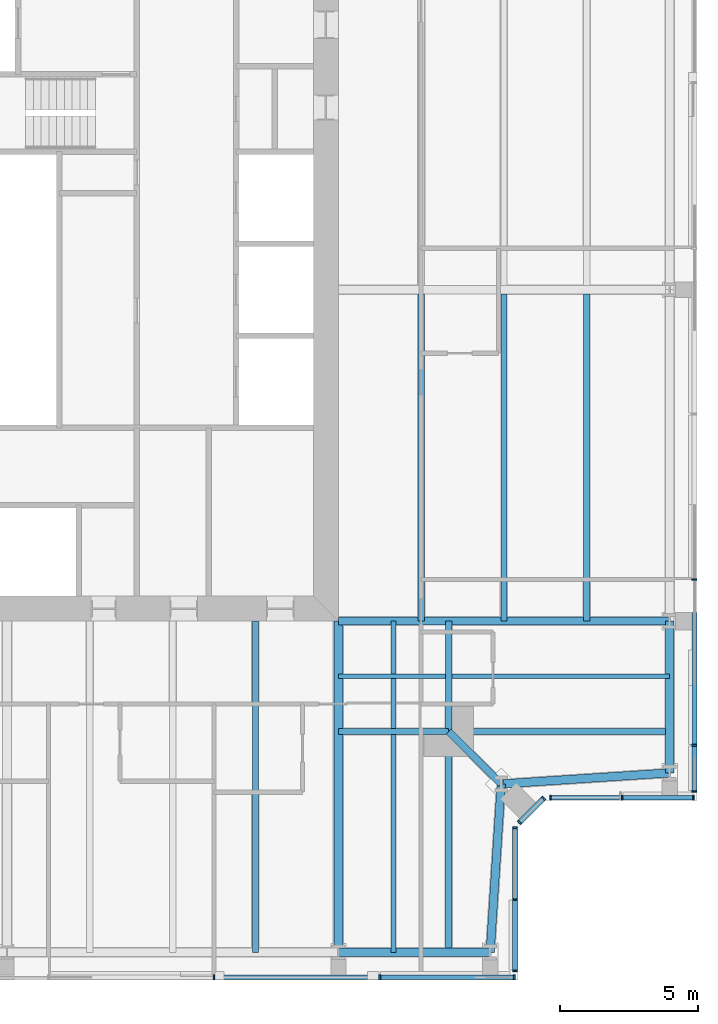
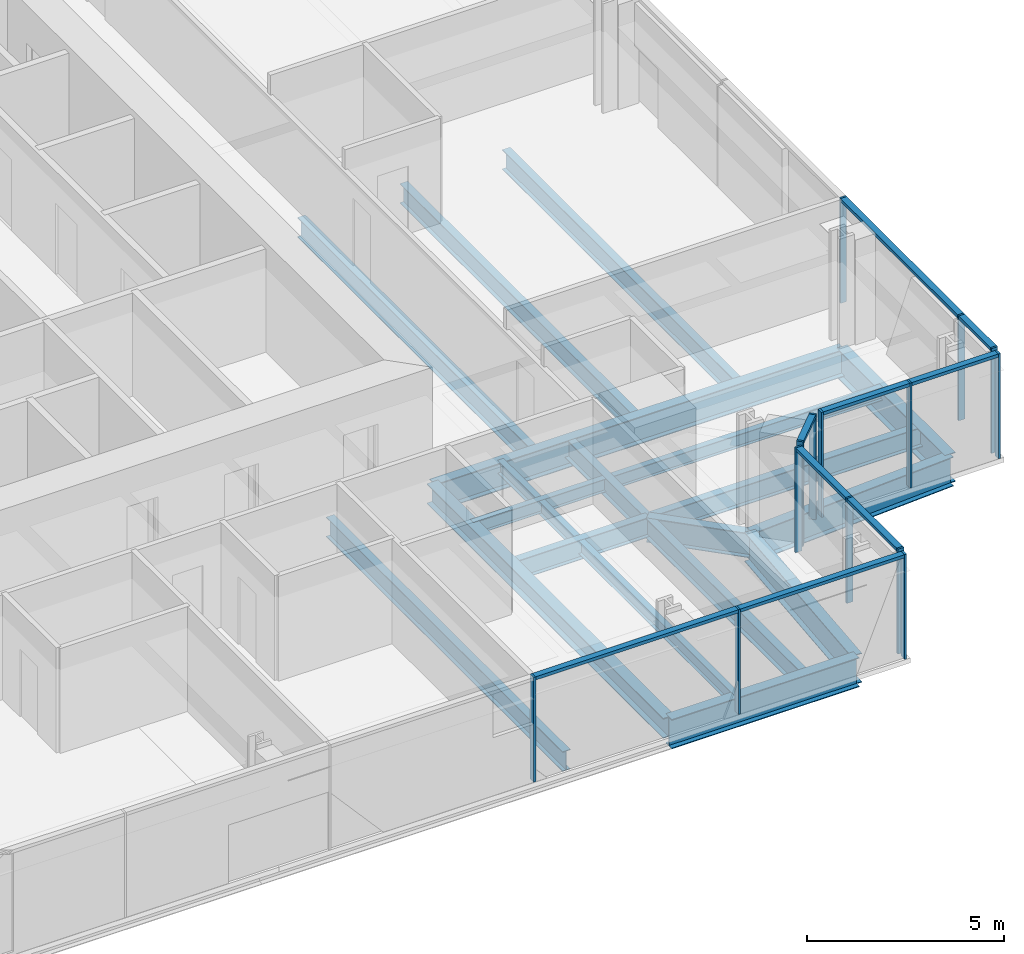
# One storey, part 5 of 20: 23 members, 20 beams, 5 elements without a shape of their own.
"""IFC4 building model written with IfcOpenShell, lengths in metres."""

from ifc_helpers import new_model, si_unit, direction, frame, origin, origin_2d, place, context, subcontext, project, spatial, rectangle, i_section, extrude, material, material_profile, profile_set, type_object, element, aggregate, save


model = new_model("IFC4")

# Units and contexts
model_context = context("Model", 3, precision=1e-05, world=origin(), true_north=direction((0.0, 1.0)))
body_context = subcontext(model_context, "Body", "Model", "MODEL_VIEW")
ifc_project = project(units=[si_unit("LENGTHUNIT", "METRE"), si_unit("AREAUNIT", "SQUARE_METRE"), si_unit("VOLUMEUNIT", "CUBIC_METRE"), si_unit("PLANEANGLEUNIT", "RADIAN"), si_unit("MASSUNIT", "GRAM", prefix="KILO")], contexts=[model_context])

# Site, building, storey
site_placement = place(None, origin())
site = spatial("IfcSite", under=ifc_project, at=site_placement, CompositionType="ELEMENT")
building_placement = place(site_placement, origin())
building = spatial("IfcBuilding", under=site, at=building_placement, Name="Fenwick Lantern Interchange", CompositionType="ELEMENT")
storey_placement = place(building_placement, frame((0.0, 0.0, 276.39990234375)))
storey = spatial("IfcBuildingStorey", under=building, at=storey_placement, Name="L66", CompositionType="ELEMENT", Elevation=276.39990234375)

# Beams
ifc_material_1 = material(Name="Steel ASTM A992 Grade 50", Category="steel")
ifc_material_profile_1 = material_profile(ifc_material_1, i_section(OverallWidth=0.3046875, OverallDepth=0.911865234375, WebThickness=0.015869140625, FlangeThickness=0.02392578125, at=origin_2d()), Name="W36X150")
ifc_profile_set_1 = profile_set([ifc_material_profile_1], Name="Steel ASTM A992 Grade 50")
beam_type_1 = type_object("IfcBeamType", Name="EDGE BEAM W36X150", PredefinedType="SPANDREL", material=ifc_profile_set_1)
beam_1_placement = place(storey_placement, frame((37.0, 1.0, -0.605712890625), z_axis=(1.0, 0.0, 0.0), x_axis=(0.0, 1.0, 0.0)))
element("IfcBeam", 1, at=beam_1_placement, inside=storey, type_object=beam_type_1, Name="L66/FR/S/EB4", PredefinedType="SPANDREL", context=body_context, shape_type="SweptSolid", body=[
    extrude(i_section(OverallWidth=0.3046875, OverallDepth=0.911865234375, WebThickness=0.015869140625, FlangeThickness=0.02392578125, at=origin_2d()), origin(), (0.0, 0.0, 1.0), 5.5),
])
for number, where, z_axis, x_axis, name in (
    (2, (42.5, 1.0, -0.605712890625), (0.065416293237, 0.997858060337, 0.0), (-0.997858060337, 0.065416293237, 0.0), "L66/FR/S/EBR1"),
    (3, (42.89990234375, 7.10009765625, -0.605712890625), (0.997858060337, 0.065416293237, 0.0), (-0.065416293237, 0.997858060337, 0.0), "L66/FR/S/EBR2"),
):
    element("IfcBeam", number, at=place(storey_placement, frame(where, z_axis=z_axis, x_axis=x_axis)), inside=storey, type_object=beam_type_1, Name=name, PredefinedType="SPANDREL", context=body_context, shape_type="SweptSolid", body=[
        extrude(i_section(OverallWidth=0.3046875, OverallDepth=0.911865234375, WebThickness=0.015869140625, FlangeThickness=0.02392578125, at=origin_2d()), origin(), (0.0, 0.0, 1.0), 6.11328125),
    ])
beam_2_placement = place(storey_placement, frame((49.0, 7.5, -0.605712890625), z_axis=(0.0, 1.0, 0.0), x_axis=(-1.0, 0.0, 0.0)))
element("IfcBeam", 4, at=beam_2_placement, inside=storey, type_object=beam_type_1, Name="L66/FR/E/EB1", PredefinedType="SPANDREL", context=body_context, shape_type="SweptSolid", body=[
    extrude(i_section(OverallWidth=0.3046875, OverallDepth=0.911865234375, WebThickness=0.015869140625, FlangeThickness=0.02392578125, at=origin_2d()), origin(), (0.0, 0.0, 1.0), 5.5),
])
ifc_material_profile_2 = material_profile(ifc_material_1, i_section(OverallWidth=0.22900390625, OverallDepth=0.612060546875, WebThickness=0.011962890625, FlangeThickness=0.01953125, at=origin_2d()), Name="W24X84")
ifc_profile_set_2 = profile_set([ifc_material_profile_2], Name="Steel ASTM A992 Grade 50")
beam_type_2 = type_object("IfcBeamType", Name="FLOOR BEAM W24X84", PredefinedType="BEAM", material=ifc_profile_set_2)
beam_3_placement = place(storey_placement, frame((34.0, 1.0, -0.4560546875), z_axis=(0.0, 1.0, 0.0), x_axis=(-1.0, 0.0, 0.0)))
element("IfcBeam", 5, at=beam_3_placement, inside=storey, type_object=beam_type_2, Name="L66/FR/S/R08", PredefinedType="BEAM", context=body_context, shape_type="SweptSolid", body=[
    extrude(i_section(OverallWidth=0.22900390625, OverallDepth=0.612060546875, WebThickness=0.011962890625, FlangeThickness=0.01953125, at=origin_2d()), origin(), (0.0, 0.0, 1.0), 12.0),
])
for number, where, z_axis, x_axis, name in (
    (6, (46.0, 13.0, -0.4560546875), (0.0, 1.0, 0.0), (-1.0, 0.0, 0.0), "L66/FR/E/B01"),
    (7, (43.0, 13.0, -0.4560546875), (0.0, 1.0, 0.0), (-1.0, 0.0, 0.0), "L66/FR/E/B02"),
    (8, (40.0, 13.0, -0.4560546875), (0.0, 1.0, 0.0), (-1.0, 0.0, 0.0), "L66/FR/E/B03"),
):
    element("IfcBeam", number, at=place(storey_placement, frame(where, z_axis=z_axis, x_axis=x_axis)), inside=storey, type_object=beam_type_2, Name=name, PredefinedType="BEAM", context=body_context, shape_type="SweptSolid", body=[
        extrude(i_section(OverallWidth=0.22900390625, OverallDepth=0.612060546875, WebThickness=0.011962890625, FlangeThickness=0.01953125, at=origin_2d()), origin(), (0.0, 0.0, 1.0), 11.844970703125),
    ])

# Curtain wall, members
ifc_material_2 = material(Name="Aluminium curtain wall frame", Category="aluminium")
curtain_wall_type = type_object("IfcCurtainWallType", Name="HOTEL CURTAIN WALL", PredefinedType="USERDEFINED", material=ifc_material_2)
curtain_wall_1_placement = place(storey_placement, origin())
curtain_wall_1 = element("IfcCurtainWall", 9, at=curtain_wall_1_placement, inside=storey, type_object=curtain_wall_type, Name="Hotel curtain wall 01", ObjectType="HOTEL CURTAIN WALL", PredefinedType="USERDEFINED")
ifc_material_3 = material(Name="Aluminium extrusion", Category="aluminium")
ifc_material_profile_3 = material_profile(ifc_material_3, rectangle(XDim=0.179931640625, YDim=0.06005859375, at=origin_2d()), Name="HOTEL CURTAIN WALL MULLION 60 X 180")
ifc_profile_set_3 = profile_set([ifc_material_profile_3], Name="Aluminium extrusion")
member_type_1 = type_object("IfcMemberType", Name="HOTEL CURTAIN WALL MULLION 60 X 180", PredefinedType="MULLION", material=ifc_profile_set_3)
member_1_placement = place(storey_placement, frame((32.5, 0.10009765625, 0.0), z_axis=(0.0, 0.0, 1.0), x_axis=(0.0, 1.0, 0.0)))
member_1 = element("IfcMember", 10, at=member_1_placement, type_object=member_type_1, Name="L66/CW/01/M05", PredefinedType="MULLION", context=body_context, shape_type="SweptSolid", body=[
    extrude(rectangle(XDim=0.179931640625, YDim=0.06005859375, at=origin_2d()), origin(), (0.0, 0.0, 1.0), 3.25),
])
member_2_placement = place(storey_placement, frame((38.5, 0.10009765625, 0.0), z_axis=(0.0, 0.0, 1.0), x_axis=(0.0, 1.0, 0.0)))
member_2 = element("IfcMember", 11, at=member_2_placement, type_object=member_type_1, Name="L66/CW/01/M06", PredefinedType="MULLION", context=body_context, shape_type="SweptSolid", body=[
    extrude(rectangle(XDim=0.179931640625, YDim=0.06005859375, at=origin_2d()), origin(), (0.0, 0.0, 1.0), 3.25),
])
member_3_placement = place(storey_placement, frame((43.3701171875, 0.10009765625, 0.0), z_axis=(0.0, 0.0, 1.0), x_axis=(0.0, 1.0, 0.0)))
member_3 = element("IfcMember", 12, at=member_3_placement, type_object=member_type_1, Name="L66/CW/01/M07", PredefinedType="MULLION", context=body_context, shape_type="SweptSolid", body=[
    extrude(rectangle(XDim=0.179931640625, YDim=0.06005859375, at=origin_2d()), origin(), (0.0, 0.0, 1.0), 3.25),
])

curtain_wall_2_placement = place(storey_placement, origin())
curtain_wall_2 = element("IfcCurtainWall", 13, at=curtain_wall_2_placement, inside=storey, type_object=curtain_wall_type, Name="Hotel curtain wall 02", ObjectType="HOTEL CURTAIN WALL", PredefinedType="USERDEFINED")
member_4_placement = place(storey_placement, frame((43.39990234375, 0.330078125, 0.0), z_axis=(0.0, 0.0, 1.0), x_axis=(-1.0, 0.0, 0.0)))
member_4 = element("IfcMember", 14, at=member_4_placement, type_object=member_type_1, Name="L66/CW/02/M00", PredefinedType="MULLION", context=body_context, shape_type="SweptSolid", body=[
    extrude(rectangle(XDim=0.179931640625, YDim=0.06005859375, at=origin_2d()), origin(), (0.0, 0.0, 1.0), 3.25),
])
member_5_placement = place(storey_placement, frame((43.39990234375, 2.920654296875, 0.0), z_axis=(0.0, 0.0, 1.0), x_axis=(-1.0, 0.0, 0.0)))
member_5 = element("IfcMember", 15, at=member_5_placement, type_object=member_type_1, Name="L66/CW/02/M01", PredefinedType="MULLION", context=body_context, shape_type="SweptSolid", body=[
    extrude(rectangle(XDim=0.179931640625, YDim=0.06005859375, at=origin_2d()), origin(), (0.0, 0.0, 1.0), 3.25),
])
member_6_placement = place(storey_placement, frame((43.39990234375, 5.511474609375, 0.0), z_axis=(0.0, 0.0, 1.0), x_axis=(-1.0, 0.0, 0.0)))
member_6 = element("IfcMember", 16, at=member_6_placement, type_object=member_type_1, Name="L66/CW/02/M02", PredefinedType="MULLION", context=body_context, shape_type="SweptSolid", body=[
    extrude(rectangle(XDim=0.179931640625, YDim=0.06005859375, at=origin_2d()), origin(), (0.0, 0.0, 1.0), 3.25),
])

curtain_wall_3_placement = place(storey_placement, origin())
curtain_wall_3 = element("IfcCurtainWall", 17, at=curtain_wall_3_placement, inside=storey, type_object=curtain_wall_type, Name="Hotel curtain wall 03", ObjectType="HOTEL CURTAIN WALL", PredefinedType="USERDEFINED")
member_7_placement = place(storey_placement, frame((43.562744140625, 5.7041015625, 0.0), z_axis=(0.0, 0.0, 1.0), x_axis=(-0.707106781187, 0.707106781187, 0.0)))
member_7 = element("IfcMember", 18, at=member_7_placement, type_object=member_type_1, Name="L66/CW/03/M00", PredefinedType="MULLION", context=body_context, shape_type="SweptSolid", body=[
    extrude(rectangle(XDim=0.179931640625, YDim=0.06005859375, at=origin_2d()), origin(), (0.0, 0.0, 1.0), 3.25),
])
member_8_placement = place(storey_placement, frame((44.437255859375, 6.578857421875, 0.0), z_axis=(0.0, 0.0, 1.0), x_axis=(-0.707106781187, 0.707106781187, 0.0)))
member_8 = element("IfcMember", 19, at=member_8_placement, type_object=member_type_1, Name="L66/CW/03/M01", PredefinedType="MULLION", context=body_context, shape_type="SweptSolid", body=[
    extrude(rectangle(XDim=0.179931640625, YDim=0.06005859375, at=origin_2d()), origin(), (0.0, 0.0, 1.0), 3.25),
])

curtain_wall_4_placement = place(storey_placement, origin())
curtain_wall_4 = element("IfcCurtainWall", 20, at=curtain_wall_4_placement, inside=storey, type_object=curtain_wall_type, Name="Hotel curtain wall 04", ObjectType="HOTEL CURTAIN WALL", PredefinedType="USERDEFINED")
member_9_placement = place(storey_placement, frame((44.6884765625, 6.60009765625, 0.0), z_axis=(0.0, 0.0, 1.0), x_axis=(0.0, 1.0, 0.0)))
member_9 = element("IfcMember", 21, at=member_9_placement, type_object=member_type_1, Name="L66/CW/04/M00", PredefinedType="MULLION", context=body_context, shape_type="SweptSolid", body=[
    extrude(rectangle(XDim=0.179931640625, YDim=0.06005859375, at=origin_2d()), origin(), (0.0, 0.0, 1.0), 3.25),
])
member_10_placement = place(storey_placement, frame((47.279296875, 6.60009765625, 0.0), z_axis=(0.0, 0.0, 1.0), x_axis=(0.0, 1.0, 0.0)))
member_10 = element("IfcMember", 22, at=member_10_placement, type_object=member_type_1, Name="L66/CW/04/M01", PredefinedType="MULLION", context=body_context, shape_type="SweptSolid", body=[
    extrude(rectangle(XDim=0.179931640625, YDim=0.06005859375, at=origin_2d()), origin(), (0.0, 0.0, 1.0), 3.25),
])
member_11_placement = place(storey_placement, frame((49.8701171875, 6.60009765625, 0.0), z_axis=(0.0, 0.0, 1.0), x_axis=(0.0, 1.0, 0.0)))
member_11 = element("IfcMember", 23, at=member_11_placement, type_object=member_type_1, Name="L66/CW/04/M02", PredefinedType="MULLION", context=body_context, shape_type="SweptSolid", body=[
    extrude(rectangle(XDim=0.179931640625, YDim=0.06005859375, at=origin_2d()), origin(), (0.0, 0.0, 1.0), 3.25),
])

curtain_wall_5_placement = place(storey_placement, origin())
curtain_wall_5 = element("IfcCurtainWall", 24, at=curtain_wall_5_placement, inside=storey, type_object=curtain_wall_type, Name="Hotel curtain wall 05", ObjectType="HOTEL CURTAIN WALL", PredefinedType="USERDEFINED")
member_12_placement = place(storey_placement, frame((49.89990234375, 6.830078125, 0.0), z_axis=(0.0, 0.0, 1.0), x_axis=(-1.0, 0.0, 0.0)))
member_12 = element("IfcMember", 25, at=member_12_placement, type_object=member_type_1, Name="L66/CW/05/M00", PredefinedType="MULLION", context=body_context, shape_type="SweptSolid", body=[
    extrude(rectangle(XDim=0.179931640625, YDim=0.06005859375, at=origin_2d()), origin(), (0.0, 0.0, 1.0), 3.25),
])
member_13_placement = place(storey_placement, frame((49.89990234375, 8.5, 0.0), z_axis=(0.0, 0.0, 1.0), x_axis=(-1.0, 0.0, 0.0)))
member_13 = element("IfcMember", 26, at=member_13_placement, type_object=member_type_1, Name="L66/CW/05/M01", PredefinedType="MULLION", context=body_context, shape_type="SweptSolid", body=[
    extrude(rectangle(XDim=0.179931640625, YDim=0.06005859375, at=origin_2d()), origin(), (0.0, 0.0, 1.0), 3.25),
])
member_14_placement = place(storey_placement, frame((49.89990234375, 14.5, 0.0), z_axis=(0.0, 0.0, 1.0), x_axis=(-1.0, 0.0, 0.0)))
member_14 = element("IfcMember", 27, at=member_14_placement, type_object=member_type_1, Name="L66/CW/05/M02", PredefinedType="MULLION", context=body_context, shape_type="SweptSolid", body=[
    extrude(rectangle(XDim=0.179931640625, YDim=0.06005859375, at=origin_2d()), origin(), (0.0, 0.0, 1.0), 3.25),
])

# Member
ifc_material_profile_4 = material_profile(ifc_material_3, rectangle(XDim=0.179931640625, YDim=0.10009765625, at=origin_2d()), Name="HOTEL CURTAIN WALL TRANSOM 100 X 180")
ifc_profile_set_4 = profile_set([ifc_material_profile_4], Name="Aluminium extrusion")
member_type_2 = type_object("IfcMemberType", Name="HOTEL CURTAIN WALL TRANSOM 100 X 180", PredefinedType="MULLION", material=ifc_profile_set_4)
member_15_placement = place(storey_placement, frame((32.530029296875, 0.10009765625, 3.2001953125), z_axis=(1.0, 0.0, 0.0), x_axis=(0.0, 1.0, 0.0)))
member_15 = element("IfcMember", 28, at=member_15_placement, type_object=member_type_2, Name="L66/CW/01/T05", PredefinedType="MULLION", context=body_context, shape_type="SweptSolid", body=[
    extrude(rectangle(XDim=0.179931640625, YDim=0.10009765625, at=origin_2d()), origin(), (0.0, 0.0, 1.0), 5.93994140625),
])

member_16_placement = place(storey_placement, frame((38.530029296875, 0.10009765625, 3.2001953125), z_axis=(1.0, 0.0, 0.0), x_axis=(0.0, 1.0, 0.0)))
member_16 = element("IfcMember", 29, at=member_16_placement, type_object=member_type_2, Name="L66/CW/01/T06", PredefinedType="MULLION", context=body_context, shape_type="SweptSolid", body=[
    extrude(rectangle(XDim=0.179931640625, YDim=0.10009765625, at=origin_2d()), origin(), (0.0, 0.0, 1.0), 4.81005859375),
])

aggregate(curtain_wall_1, [member_1, member_2, member_3, member_15, member_16])

member_17_placement = place(storey_placement, frame((43.39990234375, 0.360107421875, 3.2001953125), z_axis=(0.0, 1.0, 0.0), x_axis=(-1.0, 0.0, 0.0)))
member_17 = element("IfcMember", 30, at=member_17_placement, type_object=member_type_2, Name="L66/CW/02/T00", PredefinedType="MULLION", context=body_context, shape_type="SweptSolid", body=[
    extrude(rectangle(XDim=0.179931640625, YDim=0.10009765625, at=origin_2d()), origin(), (0.0, 0.0, 1.0), 2.530517578125),
])

member_18_placement = place(storey_placement, frame((43.39990234375, 2.95068359375, 3.2001953125), z_axis=(0.0, 1.0, 0.0), x_axis=(-1.0, 0.0, 0.0)))
member_18 = element("IfcMember", 31, at=member_18_placement, type_object=member_type_2, Name="L66/CW/02/T01", PredefinedType="MULLION", context=body_context, shape_type="SweptSolid", body=[
    extrude(rectangle(XDim=0.179931640625, YDim=0.10009765625, at=origin_2d()), origin(), (0.0, 0.0, 1.0), 2.53076171875),
])

aggregate(curtain_wall_2, [member_4, member_5, member_6, member_17, member_18])

member_19_placement = place(storey_placement, frame((43.583740234375, 5.725341796875, 3.2001953125), z_axis=(0.707210470133, 0.707003077033, 0.0), x_axis=(-0.707003077033, 0.707210470133, 0.0)))
member_19 = element("IfcMember", 32, at=member_19_placement, type_object=member_type_2, Name="L66/CW/03/T00", PredefinedType="MULLION", context=body_context, shape_type="SweptSolid", body=[
    extrude(rectangle(XDim=0.179931640625, YDim=0.10009765625, at=origin_2d()), origin(), (0.0, 0.0, 1.0), 1.17724609375),
])

aggregate(curtain_wall_3, [member_7, member_8, member_19])

member_20_placement = place(storey_placement, frame((44.718505859375, 6.60009765625, 3.2001953125), z_axis=(1.0, 0.0, 0.0), x_axis=(0.0, 1.0, 0.0)))
member_20 = element("IfcMember", 33, at=member_20_placement, type_object=member_type_2, Name="L66/CW/04/T00", PredefinedType="MULLION", context=body_context, shape_type="SweptSolid", body=[
    extrude(rectangle(XDim=0.179931640625, YDim=0.10009765625, at=origin_2d()), origin(), (0.0, 0.0, 1.0), 2.53076171875),
])

member_21_placement = place(storey_placement, frame((47.309326171875, 6.60009765625, 3.2001953125), z_axis=(1.0, 0.0, 0.0), x_axis=(0.0, 1.0, 0.0)))
member_21 = element("IfcMember", 34, at=member_21_placement, type_object=member_type_2, Name="L66/CW/04/T01", PredefinedType="MULLION", context=body_context, shape_type="SweptSolid", body=[
    extrude(rectangle(XDim=0.179931640625, YDim=0.10009765625, at=origin_2d()), origin(), (0.0, 0.0, 1.0), 2.53076171875),
])

aggregate(curtain_wall_4, [member_9, member_10, member_11, member_20, member_21])

member_22_placement = place(storey_placement, frame((49.89990234375, 6.860107421875, 3.2001953125), z_axis=(0.0, 1.0, 0.0), x_axis=(-1.0, 0.0, 0.0)))
member_22 = element("IfcMember", 35, at=member_22_placement, type_object=member_type_2, Name="L66/CW/05/T00", PredefinedType="MULLION", context=body_context, shape_type="SweptSolid", body=[
    extrude(rectangle(XDim=0.179931640625, YDim=0.10009765625, at=origin_2d()), origin(), (0.0, 0.0, 1.0), 1.60986328125),
])

member_23_placement = place(storey_placement, frame((49.89990234375, 8.530029296875, 3.2001953125), z_axis=(0.0, 1.0, 0.0), x_axis=(-1.0, 0.0, 0.0)))
member_23 = element("IfcMember", 36, at=member_23_placement, type_object=member_type_2, Name="L66/CW/05/T01", PredefinedType="MULLION", context=body_context, shape_type="SweptSolid", body=[
    extrude(rectangle(XDim=0.179931640625, YDim=0.10009765625, at=origin_2d()), origin(), (0.0, 0.0, 1.0), 5.93994140625),
])

aggregate(curtain_wall_5, [member_12, member_13, member_14, member_22, member_23])

# Beams
ifc_material_profile_5 = material_profile(ifc_material_1, i_section(OverallWidth=0.177734375, OverallDepth=0.406494140625, WebThickness=0.0078125, FlangeThickness=0.012939453125, at=origin_2d()), Name="W16X40")
ifc_profile_set_5 = profile_set([ifc_material_profile_5], Name="Steel ASTM A992 Grade 50")
beam_type_3 = type_object("IfcBeamType", Name="INFILL BEAM W16X40", PredefinedType="JOIST", material=ifc_profile_set_5)
beam_4_placement = place(storey_placement, frame((49.0, 11.0, -0.35302734375), z_axis=(-1.0, 0.0, 0.0), x_axis=(0.0, -1.0, 0.0)))
element("IfcBeam", 37, at=beam_4_placement, inside=storey, type_object=beam_type_3, Name="L66/FR/E/J1", PredefinedType="JOIST", context=body_context, shape_type="SweptSolid", body=[
    extrude(i_section(OverallWidth=0.177734375, OverallDepth=0.406494140625, WebThickness=0.0078125, FlangeThickness=0.012939453125, at=origin_2d()), origin(), (0.0, 0.0, 1.0), 7.885498046875),
])
beam_5_placement = place(storey_placement, frame((40.885498046875, 11.0, -0.35302734375), z_axis=(-1.0, 0.0, 0.0), x_axis=(0.0, -1.0, 0.0)))
element("IfcBeam", 38, at=beam_5_placement, inside=storey, type_object=beam_type_3, Name="L66/FR/E/J2", PredefinedType="JOIST", context=body_context, shape_type="SweptSolid", body=[
    extrude(i_section(OverallWidth=0.177734375, OverallDepth=0.406494140625, WebThickness=0.0078125, FlangeThickness=0.012939453125, at=origin_2d()), origin(), (0.0, 0.0, 1.0), 3.885498046875),
])
beam_6_placement = place(storey_placement, frame((39.0, 1.0, -0.35302734375), z_axis=(0.0, 1.0, 0.0), x_axis=(-1.0, 0.0, 0.0)))
element("IfcBeam", 39, at=beam_6_placement, inside=storey, type_object=beam_type_3, Name="L66/FR/E/J3", PredefinedType="JOIST", context=body_context, shape_type="SweptSolid", body=[
    extrude(i_section(OverallWidth=0.177734375, OverallDepth=0.406494140625, WebThickness=0.0078125, FlangeThickness=0.012939453125, at=origin_2d()), origin(), (0.0, 0.0, 1.0), 7.885498046875),
])
beam_7_placement = place(storey_placement, frame((39.0, 9.114501953125, -0.35302734375), z_axis=(0.0, 1.0, 0.0), x_axis=(-1.0, 0.0, 0.0)))
element("IfcBeam", 40, at=beam_7_placement, inside=storey, type_object=beam_type_3, Name="L66/FR/E/J4", PredefinedType="JOIST", context=body_context, shape_type="SweptSolid", body=[
    extrude(i_section(OverallWidth=0.177734375, OverallDepth=0.406494140625, WebThickness=0.0078125, FlangeThickness=0.012939453125, at=origin_2d()), origin(), (0.0, 0.0, 1.0), 1.796630859375),
])
beam_8_placement = place(storey_placement, frame((39.0, 11.0888671875, -0.35302734375), z_axis=(0.0, 1.0, 0.0), x_axis=(-1.0, 0.0, 0.0)))
element("IfcBeam", 41, at=beam_8_placement, inside=storey, type_object=beam_type_3, Name="L66/FR/E/J5", PredefinedType="JOIST", context=body_context, shape_type="SweptSolid", body=[
    extrude(i_section(OverallWidth=0.177734375, OverallDepth=0.406494140625, WebThickness=0.0078125, FlangeThickness=0.012939453125, at=origin_2d()), origin(), (0.0, 0.0, 1.0), 1.9111328125),
])
ifc_material_profile_6 = material_profile(ifc_material_1, i_section(OverallWidth=0.22900390625, OverallDepth=0.612060546875, WebThickness=0.011962890625, FlangeThickness=0.01953125, at=origin_2d()), Name="W24X84")
ifc_profile_set_6 = profile_set([ifc_material_profile_6], Name="Steel ASTM A992 Grade 50")
beam_type_4 = type_object("IfcBeamType", Name="MEGA COLUMN BEAM W24X84", PredefinedType="BEAM", material=ifc_profile_set_6)
for number, where, z_axis, x_axis, name in (
    (42, (41.0, 9.0, -0.4560546875), (1.0, 0.0, 0.0), (0.0, 1.0, 0.0), "L66/FR/E/MB1"),
    (43, (41.0, 9.0, -0.4560546875), (0.0, -1.0, 0.0), (1.0, 0.0, 0.0), "L66/FR/E/MB2"),
):
    element("IfcBeam", number, at=place(storey_placement, frame(where, z_axis=z_axis, x_axis=x_axis)), inside=storey, type_object=beam_type_4, Name=name, PredefinedType="BEAM", context=body_context, shape_type="SweptSolid", body=[
        extrude(i_section(OverallWidth=0.22900390625, OverallDepth=0.612060546875, WebThickness=0.011962890625, FlangeThickness=0.01953125, at=origin_2d()), origin(), (0.0, 0.0, 1.0), 8.0),
    ])
for number, where, z_axis, x_axis, name in (
    (44, (41.0, 9.0, -0.4560546875), (0.0, 1.0, 0.0), (-1.0, 0.0, 0.0), "L66/FR/E/MB3"),
    (45, (41.0, 9.0, -0.4560546875), (-1.0, 0.0, 0.0), (0.0, -1.0, 0.0), "L66/FR/E/MB4"),
):
    element("IfcBeam", number, at=place(storey_placement, frame(where, z_axis=z_axis, x_axis=x_axis)), inside=storey, type_object=beam_type_4, Name=name, PredefinedType="BEAM", context=body_context, shape_type="SweptSolid", body=[
        extrude(i_section(OverallWidth=0.22900390625, OverallDepth=0.612060546875, WebThickness=0.011962890625, FlangeThickness=0.01953125, at=origin_2d()), origin(), (0.0, 0.0, 1.0), 4.0),
    ])
ifc_material_profile_7 = material_profile(ifc_material_1, i_section(OverallWidth=0.32763671875, OverallDepth=0.622314453125, WebThickness=0.015380859375, FlangeThickness=0.0244140625, at=origin_2d()), Name="W24X131")
ifc_profile_set_7 = profile_set([ifc_material_profile_7], Name="Steel ASTM A992 Grade 50")
beam_type_5 = type_object("IfcBeamType", Name="MOMENT-CONNECTED GIRDER W24X131", PredefinedType="BEAM", material=ifc_profile_set_7)
beam_9_placement = place(storey_placement, frame((37.0, 1.0, -0.4609375), z_axis=(0.0, 1.0, 0.0), x_axis=(-1.0, 0.0, 0.0)))
element("IfcBeam", 46, at=beam_9_placement, inside=storey, type_object=beam_type_5, Name="L66/FR/S/R09", PredefinedType="BEAM", context=body_context, shape_type="SweptSolid", body=[
    extrude(i_section(OverallWidth=0.32763671875, OverallDepth=0.622314453125, WebThickness=0.015380859375, FlangeThickness=0.0244140625, at=origin_2d()), origin(), (0.0, 0.0, 1.0), 12.0),
])
ifc_material_profile_8 = material_profile(ifc_material_1, i_section(OverallWidth=0.2919921875, OverallDepth=0.845703125, WebThickness=0.015380859375, FlangeThickness=0.0244140625, at=origin_2d()), Name="W33X141")
ifc_profile_set_8 = profile_set([ifc_material_profile_8], Name="Steel ASTM A992 Grade 50")
beam_type_6 = type_object("IfcBeamType", Name="MOMENT-CONNECTED GIRDER W33X141", PredefinedType="BEAM", material=ifc_profile_set_8)
beam_10_placement = place(storey_placement, frame((49.0, 13.0, -0.57275390625), z_axis=(-1.0, 0.0, 0.0), x_axis=(0.0, -1.0, 0.0)))
element("IfcBeam", 47, at=beam_10_placement, inside=storey, type_object=beam_type_6, Name="L66/FR/E/R01", PredefinedType="BEAM", context=body_context, shape_type="SweptSolid", body=[
    extrude(i_section(OverallWidth=0.2919921875, OverallDepth=0.845703125, WebThickness=0.015380859375, FlangeThickness=0.0244140625, at=origin_2d()), origin(), (0.0, 0.0, 1.0), 12.0),
])
ifc_material_profile_9 = material_profile(ifc_material_1, i_section(OverallWidth=0.2666015625, OverallDepth=0.7568359375, WebThickness=0.013916015625, FlangeThickness=0.019287109375, at=origin_2d()), Name="W30X108")
ifc_profile_set_9 = profile_set([ifc_material_profile_9], Name="Steel ASTM A992 Grade 50")
beam_type_7 = type_object("IfcBeamType", Name="NOTCH BEAM W30X108", PredefinedType="BEAM", material=ifc_profile_set_9)
beam_11_placement = place(storey_placement, frame((41.0, 9.0, -0.5283203125), z_axis=(0.707106781187, -0.707106781187, 0.0), x_axis=(0.707106781187, 0.707106781187, 0.0)))
element("IfcBeam", 48, at=beam_11_placement, inside=storey, type_object=beam_type_7, Name="L66/FR/E/TG", PredefinedType="BEAM", context=body_context, shape_type="SweptSolid", body=[
    extrude(i_section(OverallWidth=0.2666015625, OverallDepth=0.7568359375, WebThickness=0.013916015625, FlangeThickness=0.019287109375, at=origin_2d()), origin(), (0.0, 0.0, 1.0), 2.686767578125),
])

save(model, "model.ifc")
